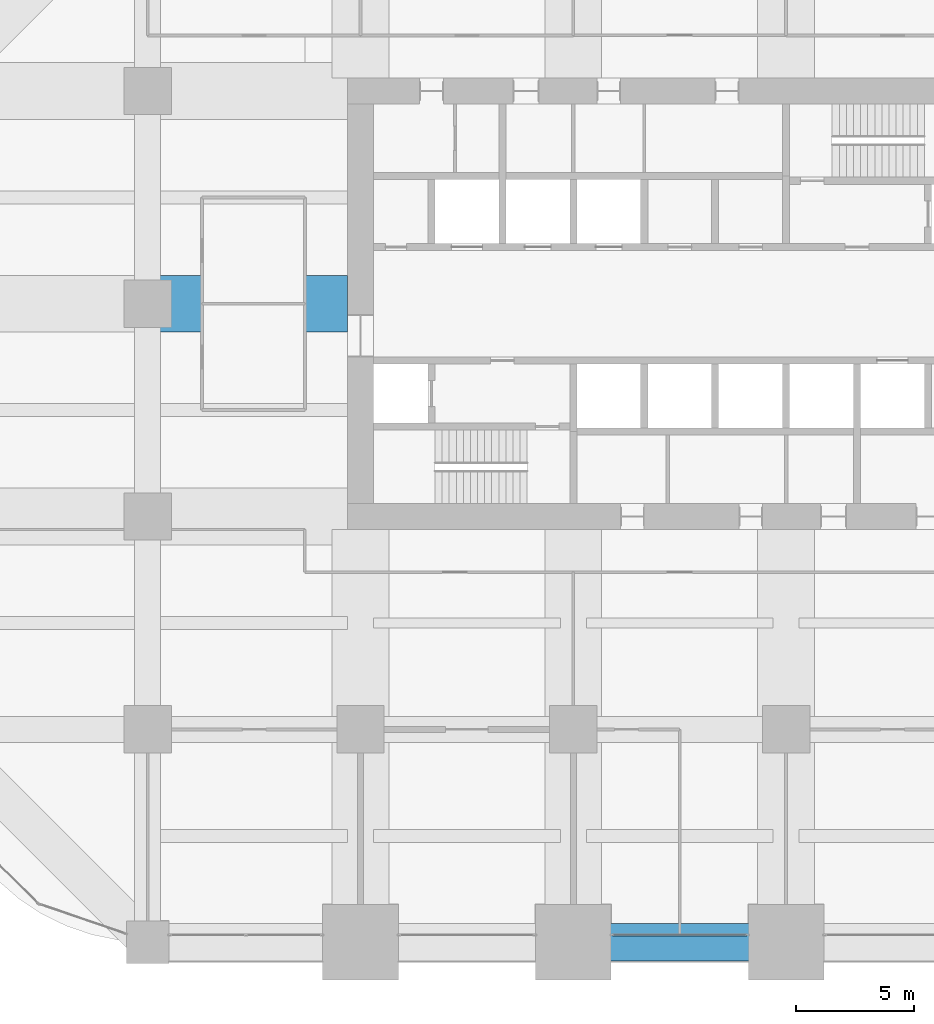
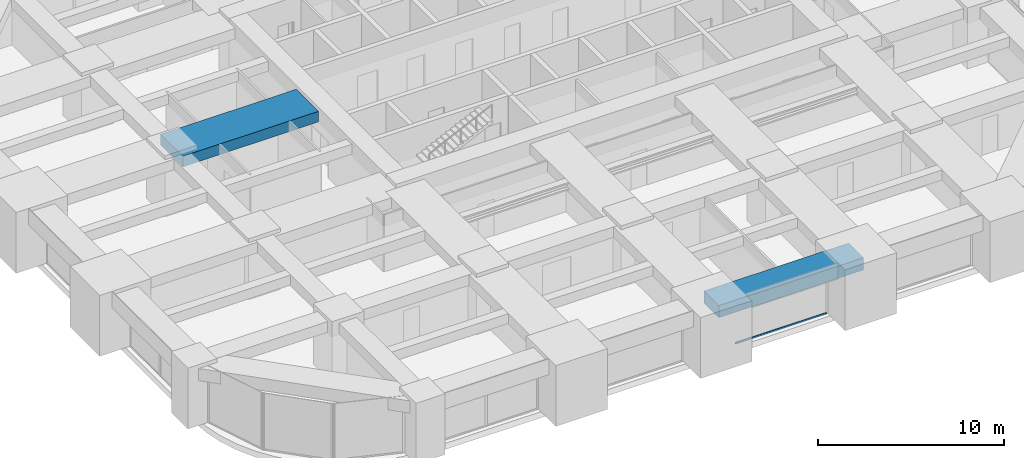
# One storey, part 13 of 35: 2 beams, 1 member, 1 element without a shape of its own.
"""IFC4 building model written with IfcOpenShell, lengths in metres."""

from ifc_helpers import new_model, si_unit, direction, frame, origin, origin_2d, place, context, subcontext, project, spatial, rectangle, hollow_rectangle, extrude, material, material_profile, profile_set, type_object, element, aggregate, save


model = new_model("IFC4")

# Units and contexts
model_context = context("Model", 3, precision=1e-05, world=origin(), true_north=direction((0.0, 1.0)))
body_context = subcontext(model_context, "Body", "Model", "MODEL_VIEW")
ifc_project = project(units=[si_unit("LENGTHUNIT", "METRE"), si_unit("AREAUNIT", "SQUARE_METRE"), si_unit("VOLUMEUNIT", "CUBIC_METRE"), si_unit("PLANEANGLEUNIT", "RADIAN"), si_unit("MASSUNIT", "GRAM", prefix="KILO")], contexts=[model_context])

# Site, building, storey
site_placement = place(None, origin())
site = spatial("IfcSite", under=ifc_project, at=site_placement, CompositionType="ELEMENT")
building_placement = place(site_placement, origin())
building = spatial("IfcBuilding", under=site, at=building_placement, Name="Zorevar Civic Tower", CompositionType="ELEMENT")
storey_placement = place(building_placement, frame((0.0, 0.0, 162.199951171875)))
storey = spatial("IfcBuildingStorey", under=building, at=storey_placement, Name="L39", CompositionType="ELEMENT", Elevation=162.199951171875)

# Beam
ifc_material_1 = material(Name="Concrete C50/60", Category="concrete")
ifc_material_profile_1 = material_profile(ifc_material_1, rectangle(XDim=2.39990234375, YDim=0.699951171875, at=origin_2d()), Name="RC 2400x700")
ifc_profile_set_1 = profile_set([ifc_material_profile_1], Name="Concrete C50/60")
beam_type_1 = type_object("IfcBeamType", Name="Beam RC 2400x700", PredefinedType="BEAM", material=ifc_profile_set_1)
beam_1_placement = place(storey_placement, frame((9.0, 27.0, 3.400146484375), z_axis=(1.0, 0.0, 0.0), x_axis=(0.0, 1.0, 0.0)))
element("IfcBeam", 1, at=beam_1_placement, inside=storey, type_object=beam_type_1, Name="Girder L40", PredefinedType="BEAM", context=body_context, shape_type="SweptSolid", body=[
    extrude(rectangle(XDim=2.39990234375, YDim=0.699951171875, at=origin_2d()), origin(), (0.0, 0.0, 1.0), 8.449951171875),
])

# Curtain wall, member
ifc_material_2 = material(Name="Dark grey solar-control glass in black aluminium frame", Category="aluminium")
curtain_wall_type = type_object("IfcCurtainWallType", Name="Curtain wall CW4 high zone", PredefinedType="NOTDEFINED", material=ifc_material_2)
curtain_wall_placement = place(storey_placement, origin())
curtain_wall = element("IfcCurtainWall", 2, at=curtain_wall_placement, inside=storey, type_object=curtain_wall_type, Name="CW4 L39", PredefinedType="NOTDEFINED")
ifc_material_3 = material(Name="Aluminium, black anodised", Category="aluminium")
ifc_material_profile_2 = material_profile(ifc_material_3, hollow_rectangle(XDim=0.06005859375, YDim=0.1201171875, WallThickness=0.0029296875, at=origin_2d()), Name="AL 120x60x3")
ifc_profile_set_2 = profile_set([ifc_material_profile_2], Name="Aluminium, black anodised")
member_type = type_object("IfcMemberType", Name="CW4 transom AL 120x60x3", PredefinedType="USERDEFINED", material=ifc_profile_set_2)
member_placement = place(storey_placement, frame((28.659912109375, 0.300048828125, 0.030029296875), z_axis=(1.0, 0.0, 0.0), x_axis=(0.0, 1.0, 0.0)))
member = element("IfcMember", 3, at=member_placement, type_object=member_type, Name="CW4 sill transom", ObjectType="TRANSOM", PredefinedType="USERDEFINED", context=body_context, shape_type="SweptSolid", body=[
    extrude(hollow_rectangle(XDim=0.06005859375, YDim=0.1201171875, WallThickness=0.0029296875, at=origin_2d()), origin(), (0.0, 0.0, 1.0), 5.68017578125),
])
aggregate(curtain_wall, [member])

# Beam
ifc_material_4 = material(Name="Concrete C50/60", Category="concrete")
ifc_material_profile_3 = material_profile(ifc_material_4, rectangle(XDim=1.60009765625, YDim=0.800048828125, at=origin_2d()), Name="RC 1600x800")
ifc_profile_set_3 = profile_set([ifc_material_profile_3], Name="Concrete C50/60")
beam_type_2 = type_object("IfcBeamType", Name="Edge beam RC 1600x800", PredefinedType="SPANDREL", material=ifc_profile_set_3)
beam_2_placement = place(storey_placement, frame((27.0, 0.0, 3.35009765625), z_axis=(1.0, 0.0, 0.0), x_axis=(0.0, 1.0, 0.0)))
element("IfcBeam", 4, at=beam_2_placement, inside=storey, type_object=beam_type_2, Name="Edge beam L40", PredefinedType="SPANDREL", context=body_context, shape_type="SweptSolid", body=[
    extrude(rectangle(XDim=1.60009765625, YDim=0.800048828125, at=origin_2d()), origin(), (0.0, 0.0, 1.0), 9.0),
])

save(model, "model.ifc")
